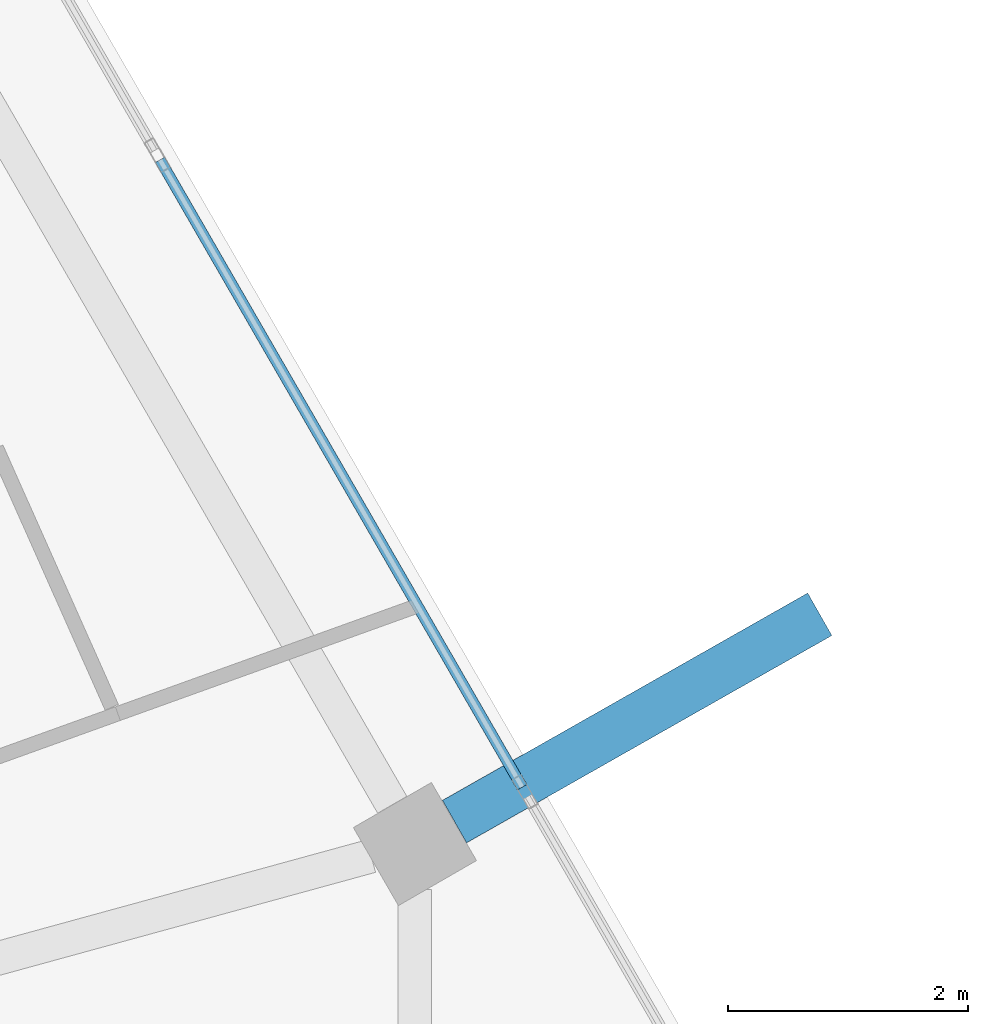
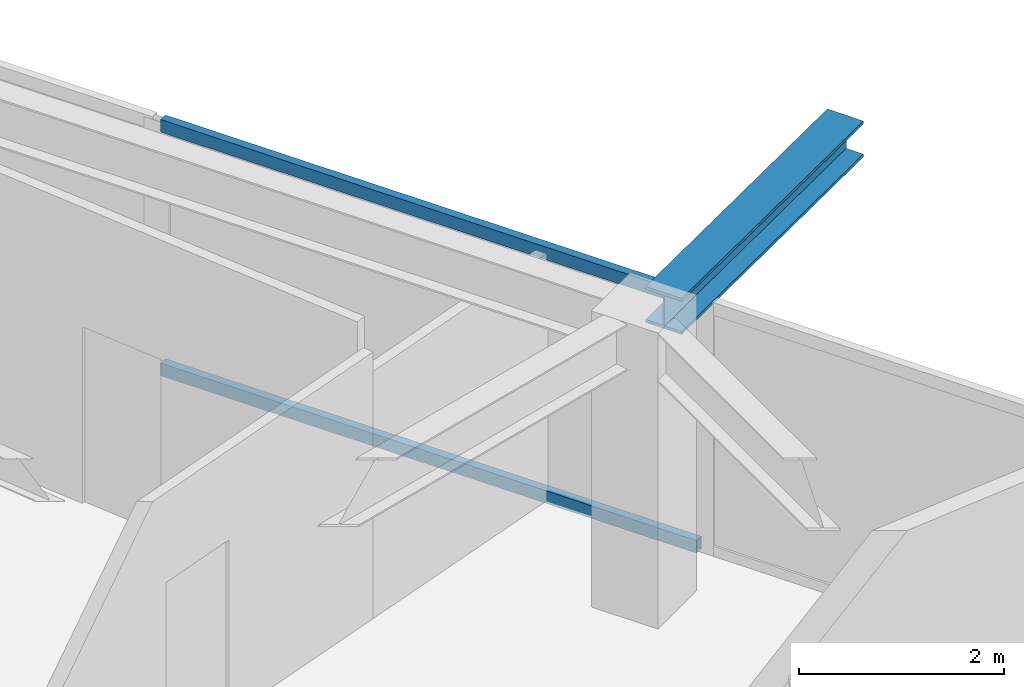
# One storey, part 12 of 23: 2 members, 1 beam, 1 element without a shape of its own.
"""IFC4 building model written with IfcOpenShell, lengths in metres."""

from ifc_helpers import new_model, si_unit, direction, frame, origin, origin_2d, place, context, subcontext, project, spatial, hollow_rectangle, i_section, extrude, material, material_profile, profile_set, type_object, element, aggregate, save


model = new_model("IFC4")

# Units and contexts
model_context = context("Model", 3, precision=1e-05, world=origin(), true_north=direction((0.0, 1.0)))
body_context = subcontext(model_context, "Body", "Model", "MODEL_VIEW")
ifc_project = project(units=[si_unit("LENGTHUNIT", "METRE"), si_unit("AREAUNIT", "SQUARE_METRE"), si_unit("VOLUMEUNIT", "CUBIC_METRE"), si_unit("PLANEANGLEUNIT", "RADIAN"), si_unit("MASSUNIT", "GRAM", prefix="KILO")], contexts=[model_context])

# Site, building, storey
site_placement = place(None, origin())
site = spatial("IfcSite", under=ifc_project, at=site_placement, CompositionType="ELEMENT")
building_placement = place(site_placement, origin())
building = spatial("IfcBuilding", under=site, at=building_placement, Name="Zuhravey Tower", CompositionType="ELEMENT")
storey_placement = place(building_placement, frame((0.0, 0.0, 350.0)))
storey = spatial("IfcBuildingStorey", under=building, at=storey_placement, Name="L89", CompositionType="ELEMENT", Elevation=350.0)

# Curtain wall, members
ifc_material_1 = material(Name="Thermally broken anodised aluminium", Category="aluminium")
curtain_wall_type = type_object("IfcCurtainWallType", Name="Zone 3-4 High-Rise Curtain Wall CW4", PredefinedType="NOTDEFINED", material=ifc_material_1)
curtain_wall_placement = place(storey_placement, origin())
curtain_wall = element("IfcCurtainWall", 1, at=curtain_wall_placement, inside=storey, type_object=curtain_wall_type, Name="L89 CW4 CW-L89-F1-1", PredefinedType="NOTDEFINED")
ifc_material_2 = material(Name="Anodised aluminium", Category="aluminium")
ifc_material_profile_1 = material_profile(ifc_material_2, hollow_rectangle(XDim=0.090087890625, YDim=0.14990234375, WallThickness=0.0048828125, at=origin_2d()), Name="ALU-RHS-90x150x5")
ifc_profile_set_1 = profile_set([ifc_material_profile_1], Name="Anodised aluminium")
member_type = type_object("IfcMemberType", Name="Curtain-Wall Transom 90x150", PredefinedType="USERDEFINED", material=ifc_profile_set_1)
member_1_placement = place(storey_placement, frame((56.871337890625, 43.998046875, 0.044921875), z_axis=(0.499988837749, -0.866031848217, 0.0), x_axis=(0.866031848217, 0.499988837749, 0.0)))
member_1 = element("IfcMember", 2, at=member_1_placement, type_object=member_type, Name="CW4 transom 3.1", ObjectType="TRANSOM", PredefinedType="USERDEFINED", context=body_context, shape_type="SweptSolid", body=[
    extrude(hollow_rectangle(XDim=0.090087890625, YDim=0.14990234375, WallThickness=0.0048828125, at=origin_2d()), origin(), (0.0, 0.0, 1.0), 6.029541015625),
])
member_2_placement = place(storey_placement, frame((56.871337890625, 43.998046875, 2.94189453125), z_axis=(0.499988837749, -0.866031848217, 0.0), x_axis=(0.866031848217, 0.499988837749, 0.0)))
member_2 = element("IfcMember", 3, at=member_2_placement, type_object=member_type, Name="CW4 transom 3.2", ObjectType="TRANSOM", PredefinedType="USERDEFINED", context=body_context, shape_type="SweptSolid", body=[
    extrude(hollow_rectangle(XDim=0.090087890625, YDim=0.14990234375, WallThickness=0.0048828125, at=origin_2d()), origin(), (0.0, 0.0, 1.0), 6.029541015625),
])
aggregate(curtain_wall, [member_1, member_2])

# Beam
ifc_material_3 = material(Name="Steel SM460", Category="steel")
ifc_material_profile_2 = material_profile(ifc_material_3, i_section(OverallWidth=0.406982421875, OverallDepth=0.427978515625, WebThickness=0.02001953125, FlangeThickness=0.034912109375, at=origin_2d()), Name="H-428x407x20x35")
ifc_profile_set_2 = profile_set([ifc_material_profile_2], Name="Steel SM460")
beam_type = type_object("IfcBeamType", Name="Exoskeleton Node Tie Beam H428x407", PredefinedType="BEAM", material=ifc_profile_set_2)
beam_placement = place(storey_placement, frame((59.322998046875, 38.489501953125, 3.200927734375), z_axis=(0.86970049877, 0.493579823776, 0.0), x_axis=(-0.493579823776, 0.86970049877, 0.0)))
element("IfcBeam", 4, at=beam_placement, inside=storey, type_object=beam_type, Name="L89 Exoskeleton Node Tie NT1-01", PredefinedType="BEAM", context=body_context, shape_type="SweptSolid", body=[
    extrude(i_section(OverallWidth=0.406982421875, OverallDepth=0.427978515625, WebThickness=0.02001953125, FlangeThickness=0.034912109375, at=origin_2d()), origin(), (0.0, 0.0, 1.0), 3.49609375),
])

save(model, "model.ifc")
